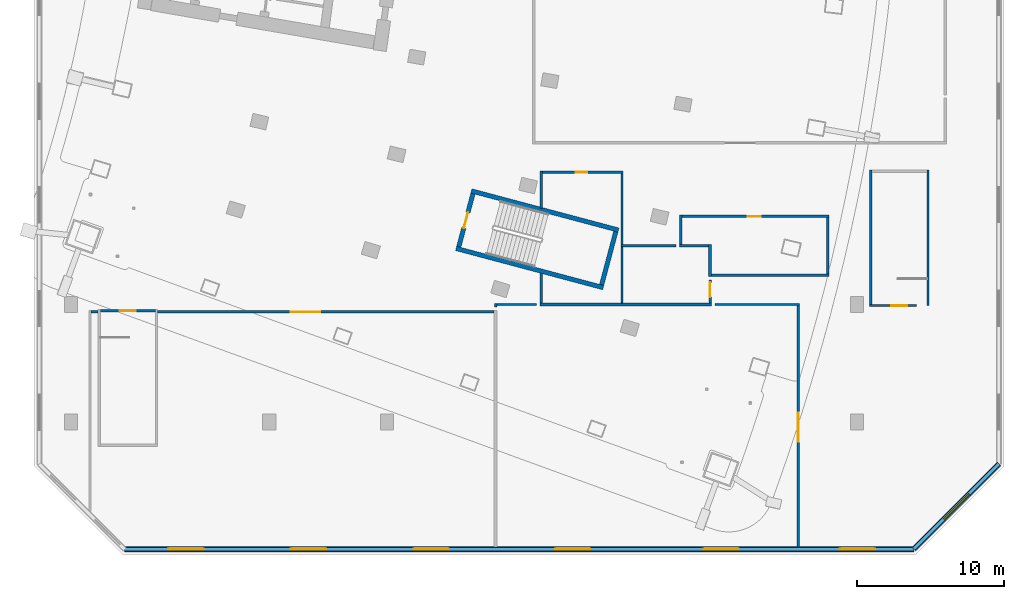
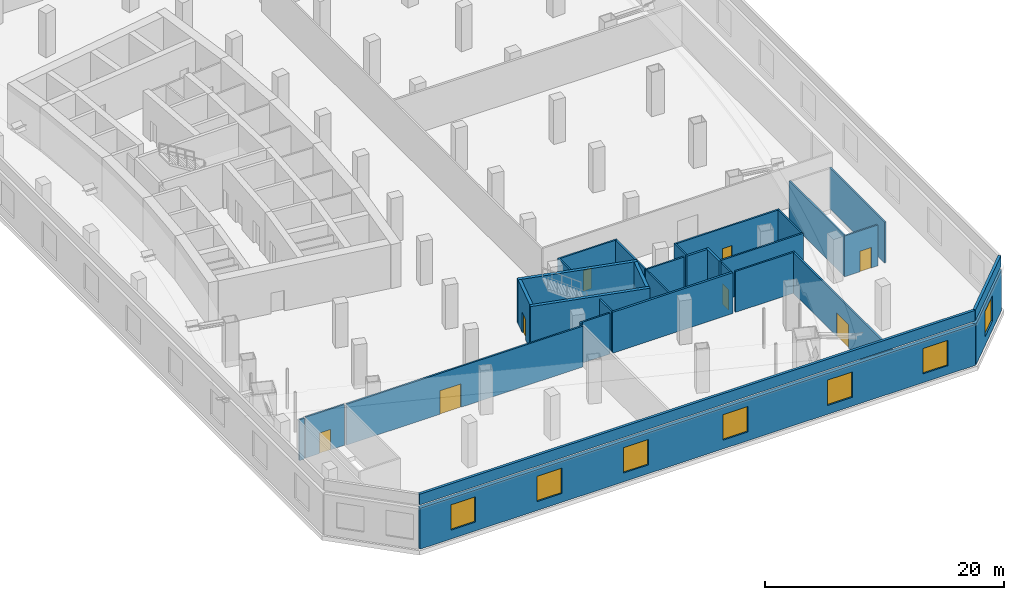
# One storey, part 12 of 19: 32 walls, 8 doors, 7 windows, 15 openings.
"""IFC4 building model written with IfcOpenShell, lengths in metres."""

from ifc_helpers import new_model, si_unit, direction, frame, frame_2d, origin, place, context, subcontext, project, spatial, rectangle, extrude, material, layer, layer_set, type_object, element, fill, save


model = new_model("IFC4")

# Units and contexts
model_context = context("Model", 3, precision=1e-05, world=origin(), true_north=direction((0.0, 1.0)))
body_context = subcontext(model_context, "Body", "Model", "MODEL_VIEW")
ifc_project = project(units=[si_unit("LENGTHUNIT", "METRE"), si_unit("AREAUNIT", "SQUARE_METRE"), si_unit("VOLUMEUNIT", "CUBIC_METRE"), si_unit("PLANEANGLEUNIT", "RADIAN"), si_unit("MASSUNIT", "GRAM", prefix="KILO")], contexts=[model_context])

# Site, building, storey
site_placement = place(None, origin())
site = spatial("IfcSite", under=ifc_project, at=site_placement, CompositionType="ELEMENT")
building_placement = place(site_placement, origin())
building = spatial("IfcBuilding", under=site, at=building_placement, Name="Alderwake Tower", CompositionType="ELEMENT")
storey_placement = place(building_placement, frame((0.0, 0.0, 27.5)))
storey = spatial("IfcBuildingStorey", under=building, at=storey_placement, Name="L05", CompositionType="ELEMENT", Elevation=27.5)

# Walls
ifc_material_1 = material(Name="Concrete C70/85", Category="concrete")
ifc_layer_1 = layer(ifc_material_1, 0.300048828125)
ifc_layer_set_1 = layer_set([ifc_layer_1], Name="Core wall stair enclosure 300 C70-85")
wall_type_1 = type_object("IfcWallType", Name="Core wall stair enclosure 300 C70-85", PredefinedType="SHEAR", material=ifc_layer_set_1)
for number, where, z_axis, x_axis, name in (
    (1, (37.75390625, 31.731201171875, 0.0), (0.0, 0.0, 1.0), (0.966309214305, -0.257383958996, 0.0), "Core wall CW.086"),
    (2, (36.71142578125, 27.817626953125, 0.0), (0.0, 0.0, 1.0), (0.966309214305, -0.257383958996, 0.0), "Core wall CW.088"),
):
    element("IfcWall", number, at=place(storey_placement, frame(where, z_axis=z_axis, x_axis=x_axis)), inside=storey, type_object=wall_type_1, Name=name, PredefinedType="SHEAR", context=body_context, shape_type="SweptSolid", body=[
        extrude(rectangle(XDim=10.360107421875, YDim=0.300048828125, at=frame_2d((5.18017578125, 0.0))), origin(), (0.0, 0.0, 1.0), 4.5),
    ])

# Wall, opening, door
wall_1_placement = place(storey_placement, frame((36.89501953125, 27.923828125, 0.0), z_axis=(0.0, 0.0, 1.0), x_axis=(0.257350630826, 0.966318090907, 0.0)))
wall_1 = element("IfcWall", 3, at=wall_1_placement, inside=storey, type_object=wall_type_1, Name="Core wall CW.087", PredefinedType="SHEAR", context=body_context, shape_type="SweptSolid", body=[
    extrude(rectangle(XDim=3.75, YDim=0.300048828125, at=frame_2d((1.875, 0.0))), origin(), (0.0, 0.0, 1.0), 4.5),
])
opening_1_placement = place(wall_1_placement, frame((1.324951171875, 0.0, 0.0)))
opening_1 = element("IfcOpeningElement", 4, at=opening_1_placement, cuts=wall_1, Name="Opening C065", PredefinedType="OPENING", context=body_context, shape_type="SweptSolid", body=[
    extrude(rectangle(XDim=1.10009765625, YDim=2.10009765625, at=frame_2d((0.550048828125, 1.050048828125))), frame((0.0, 0.159912109375, 0.0), z_axis=(0.0, -1.0, 0.0), x_axis=(1.0, 0.0, 0.0)), (0.0, 0.0, 1.0), 0.320068359375),
])
ifc_material_2 = material(Name="Steel-framed fire door leaf", Category="steel")
door_type_1 = type_object("IfcDoorType", Name="Core stair door 1100 fire-rated", OperationType="SINGLE_SWING_LEFT", PredefinedType="DOOR", material=ifc_material_2)
door_1_placement = place(opening_1_placement, origin())
door_1 = element("IfcDoor", 5, at=door_1_placement, inside=storey, type_object=door_type_1, Name="Stair door", OperationType="SINGLE_SWING_LEFT", OverallHeight=2.10009765625, OverallWidth=1.10009765625, PredefinedType="DOOR", context=body_context, shape_type="SweptSolid", body=[
    extrude(rectangle(XDim=1.10009765625, YDim=2.10009765625, at=frame_2d((0.550048828125, 1.050048828125))), frame((0.0, 0.02490234375, 0.0), z_axis=(0.0, -1.0, 0.0), x_axis=(1.0, 0.0, 0.0)), (0.0, 0.0, 1.0), 0.050048828125),
])
fill(opening_1, door_1)

# Walls
wall_2_placement = place(storey_placement, frame((46.6162109375, 25.334716796875, 0.0), z_axis=(0.0, 0.0, 1.0), x_axis=(0.257366821694, 0.966313778796, 0.0)))
element("IfcWall", 6, at=wall_2_placement, inside=storey, type_object=wall_type_1, Name="Core wall CW.085", PredefinedType="SHEAR", context=body_context, shape_type="SweptSolid", body=[
    extrude(rectangle(XDim=3.749755859375, YDim=0.300048828125, at=frame_2d((1.875, 0.0))), origin(), (0.0, 0.0, 1.0), 4.5),
])
ifc_material_3 = material(Name="Gypsum board on metal studs, rated")
ifc_layer_2 = layer(ifc_material_3, 0.159912109375)
ifc_layer_set_2 = layer_set([ifc_layer_2], Name="Corridor wall 160")
wall_type_2 = type_object("IfcWallType", Name="Corridor wall 160", PredefinedType="PARTITIONING", material=ifc_layer_set_2)
wall_3_placement = place(storey_placement, frame((11.87890625, 23.4990234375, 0.0), z_axis=(0.0, 0.0, 1.0), x_axis=(1.0, 0.0, 0.0)))
element("IfcWall", 7, at=wall_3_placement, inside=storey, type_object=wall_type_2, Name="WL/L05/W23", PredefinedType="PARTITIONING", context=body_context, shape_type="SweptSolid", body=[
    extrude(rectangle(XDim=0.47216796875, YDim=0.159912109375, at=frame_2d((0.236083984375, 0.0))), origin(), (0.0, 0.0, 1.0), 4.179931640625),
])

# Wall, opening, door
wall_4_placement = place(storey_placement, frame((16.40087890625, 23.4990234375, 0.0), z_axis=(0.0, 0.0, 1.0), x_axis=(1.0, 0.0, 0.0)))
wall_4 = element("IfcWall", 8, at=wall_4_placement, inside=storey, type_object=wall_type_2, Name="WL/L05/W27", PredefinedType="PARTITIONING", context=body_context, shape_type="SweptSolid", body=[
    extrude(rectangle(XDim=22.898193359375, YDim=0.159912109375, at=frame_2d((11.44921875, 0.0))), origin(), (0.0, 0.0, 1.0), 4.179931640625),
])
opening_2_placement = place(wall_4_placement, frame((9.073974609375, 0.0, 0.0)))
opening_2 = element("IfcOpeningElement", 9, at=opening_2_placement, cuts=wall_4, Name="Opening L05-05", PredefinedType="OPENING", context=body_context, shape_type="SweptSolid", body=[
    extrude(rectangle(XDim=2.0, YDim=2.39990234375, at=frame_2d((1.0, 1.199951171875))), frame((0.0, 0.08984375, 0.0), z_axis=(0.0, -1.0, 0.0), x_axis=(1.0, 0.0, 0.0)), (0.0, 0.0, 1.0), 0.179931640625),
])
ifc_material_4 = material(Name="Timber leaves with glazed panels", Category="wood")
door_type_2 = type_object("IfcDoorType", Name="Hall double door 2000", OperationType="DOUBLE_DOOR_SINGLE_SWING", PredefinedType="DOOR", material=ifc_material_4)
door_2_placement = place(opening_2_placement, origin())
door_2 = element("IfcDoor", 10, at=door_2_placement, inside=storey, type_object=door_type_2, Name="DR/L05/05", OperationType="DOUBLE_DOOR_SINGLE_SWING", OverallHeight=2.39990234375, OverallWidth=2.0, PredefinedType="DOOR", context=body_context, shape_type="SweptSolid", body=[
    extrude(rectangle(XDim=2.0, YDim=2.39990234375, at=frame_2d((1.0, 1.199951171875))), frame((0.0, 0.02490234375, 0.0), z_axis=(0.0, -1.0, 0.0), x_axis=(1.0, 0.0, 0.0)), (0.0, 0.0, 1.0), 0.050048828125),
])
fill(opening_2, door_2)

# Walls
wall_5_placement = place(storey_placement, frame((39.39892578125, 23.832275390625, 0.0), z_axis=(0.0, 0.0, 1.0), x_axis=(0.0, 1.0, 0.0)))
element("IfcWall", 11, at=wall_5_placement, inside=storey, type_object=wall_type_2, Name="WL/L05/W32", PredefinedType="PARTITIONING", context=body_context, shape_type="SweptSolid", body=[
    extrude(rectangle(XDim=0.247802734375, YDim=0.159912109375, at=frame_2d((0.1240234375, 0.0))), origin(), (0.0, 0.0, 1.0), 4.179931640625),
])
wall_6_placement = place(storey_placement, frame((39.47900390625, 24.0, 0.0), z_axis=(0.0, 0.0, 1.0), x_axis=(1.0, 0.0, 0.0)))
element("IfcWall", 12, at=wall_6_placement, inside=storey, type_object=wall_type_2, Name="WL/L05/W33", PredefinedType="PARTITIONING", context=body_context, shape_type="SweptSolid", body=[
    extrude(rectangle(XDim=2.688720703125, YDim=0.159912109375, at=frame_2d((1.34423828125, 0.0))), origin(), (0.0, 0.0, 1.0), 4.179931640625),
])
wall_7_placement = place(storey_placement, frame((42.5009765625, 24.10009765625, 0.0), z_axis=(0.0, 0.0, 1.0), x_axis=(0.0, 1.0, 0.0)))
element("IfcWall", 13, at=wall_7_placement, inside=storey, type_object=wall_type_2, Name="WL/L05/W36", PredefinedType="PARTITIONING", context=body_context, shape_type="SweptSolid", body=[
    extrude(rectangle(XDim=2.02099609375, YDim=0.159912109375, at=frame_2d((1.010498046875, 0.0))), origin(), (0.0, 0.0, 1.0), 4.179931640625),
])
wall_8_placement = place(storey_placement, frame((42.5009765625, 30.541015625, 0.0), z_axis=(0.0, 0.0, 1.0), x_axis=(0.0, 1.0, 0.0)))
element("IfcWall", 14, at=wall_8_placement, inside=storey, type_object=wall_type_2, Name="WL/L05/W37", PredefinedType="PARTITIONING", context=body_context, shape_type="SweptSolid", body=[
    extrude(rectangle(XDim=2.5390625, YDim=0.159912109375, at=frame_2d((1.26953125, 0.0))), origin(), (0.0, 0.0, 1.0), 4.179931640625),
])

# Wall, opening, door
wall_9_placement = place(storey_placement, frame((42.5810546875, 33.0, 0.0), z_axis=(0.0, 0.0, 1.0), x_axis=(1.0, 0.0, 0.0)))
wall_9 = element("IfcWall", 15, at=wall_9_placement, inside=storey, type_object=wall_type_2, Name="WL/L05/W38", PredefinedType="PARTITIONING", context=body_context, shape_type="SweptSolid", body=[
    extrude(rectangle(XDim=5.4990234375, YDim=0.159912109375, at=frame_2d((2.74951171875, 0.0))), origin(), (0.0, 0.0, 1.0), 4.179931640625),
])
opening_3_placement = place(wall_9_placement, frame((2.26904296875, 0.0, 0.0)))
opening_3 = element("IfcOpeningElement", 16, at=opening_3_placement, cuts=wall_9, Name="Opening L05-07", PredefinedType="OPENING", context=body_context, shape_type="SweptSolid", body=[
    extrude(rectangle(XDim=0.800048828125, YDim=2.10009765625, at=frame_2d((0.39990234375, 1.050048828125))), frame((0.0, 0.08984375, 0.0), z_axis=(0.0, -1.0, 0.0), x_axis=(1.0, 0.0, 0.0)), (0.0, 0.0, 1.0), 0.179931640625),
])
ifc_material_5 = material(Name="Painted timber leaf", Category="wood")
door_type_3 = type_object("IfcDoorType", Name="Bathroom door 800", OperationType="SINGLE_SWING_LEFT", PredefinedType="DOOR", material=ifc_material_5)
door_3_placement = place(opening_3_placement, origin())
door_3 = element("IfcDoor", 17, at=door_3_placement, inside=storey, type_object=door_type_3, Name="DR/L05/07", OperationType="SINGLE_SWING_LEFT", OverallHeight=2.10009765625, OverallWidth=0.800048828125, PredefinedType="DOOR", context=body_context, shape_type="SweptSolid", body=[
    extrude(rectangle(XDim=0.800048828125, YDim=2.10009765625, at=frame_2d((0.39990234375, 1.050048828125))), frame((0.0, 0.02490234375, 0.0), z_axis=(0.0, -1.0, 0.0), x_axis=(1.0, 0.0, 0.0)), (0.0, 0.0, 1.0), 0.050048828125),
])
fill(opening_3, door_3)

# Walls
wall_10_placement = place(storey_placement, frame((47.919921875, 27.9990234375, 0.0), z_axis=(0.0, 0.0, 1.0), x_axis=(1.0, 0.0, 0.0)))
element("IfcWall", 18, at=wall_10_placement, inside=storey, type_object=wall_type_2, Name="WL/L05/W43", PredefinedType="PARTITIONING", context=body_context, shape_type="SweptSolid", body=[
    extrude(rectangle(XDim=3.745849609375, YDim=0.159912109375, at=frame_2d((1.873046875, 0.0))), origin(), (0.0, 0.0, 1.0), 4.179931640625),
])
wall_11_placement = place(storey_placement, frame((48.0, 32.919921875, 0.0), z_axis=(0.0, 0.0, 1.0), x_axis=(0.0, -1.0, 0.0)))
element("IfcWall", 19, at=wall_11_placement, inside=storey, type_object=wall_type_2, Name="WL/L05/W44", PredefinedType="PARTITIONING", context=body_context, shape_type="SweptSolid", body=[
    extrude(rectangle(XDim=4.8408203125, YDim=0.159912109375, at=frame_2d((2.42041015625, 0.0))), origin(), (0.0, 0.0, 1.0), 4.179931640625),
])
wall_12_placement = place(storey_placement, frame((51.9990234375, 28.09912109375, 0.0), z_axis=(0.0, 0.0, 1.0), x_axis=(0.0, 1.0, 0.0)))
element("IfcWall", 20, at=wall_12_placement, inside=storey, type_object=wall_type_2, Name="WL/L05/W45", PredefinedType="PARTITIONING", context=body_context, shape_type="SweptSolid", body=[
    extrude(rectangle(XDim=1.98095703125, YDim=0.159912109375, at=frame_2d((0.990478515625, 0.0))), origin(), (0.0, 0.0, 1.0), 4.179931640625),
])

# Wall, opening, door
wall_13_placement = place(storey_placement, frame((52.0791015625, 30.0, 0.0), z_axis=(0.0, 0.0, 1.0), x_axis=(1.0, 0.0, 0.0)))
wall_13 = element("IfcWall", 21, at=wall_13_placement, inside=storey, type_object=wall_type_2, Name="WL/L05/W46", PredefinedType="PARTITIONING", context=body_context, shape_type="SweptSolid", body=[
    extrude(rectangle(XDim=10.001953125, YDim=0.159912109375, at=frame_2d((5.0009765625, 0.0))), origin(), (0.0, 0.0, 1.0), 4.179931640625),
])
opening_4_placement = place(wall_13_placement, frame((4.470947265625, 0.0, 0.0)))
opening_4 = element("IfcOpeningElement", 22, at=opening_4_placement, cuts=wall_13, Name="Opening L05-09", PredefinedType="OPENING", context=body_context, shape_type="SweptSolid", body=[
    extrude(rectangle(XDim=0.89990234375, YDim=2.10009765625, at=frame_2d((0.449951171875, 1.050048828125))), frame((0.0, 0.08984375, 0.0), z_axis=(0.0, -1.0, 0.0), x_axis=(1.0, 0.0, 0.0)), (0.0, 0.0, 1.0), 0.179931640625),
])
ifc_material_6 = material(Name="Painted timber leaf", Category="wood")
door_type_4 = type_object("IfcDoorType", Name="Room door 900", OperationType="SINGLE_SWING_LEFT", PredefinedType="DOOR", material=ifc_material_6)
door_4_placement = place(opening_4_placement, origin())
door_4 = element("IfcDoor", 23, at=door_4_placement, inside=storey, type_object=door_type_4, Name="DR/L05/09", OperationType="SINGLE_SWING_LEFT", OverallHeight=2.10009765625, OverallWidth=0.89990234375, PredefinedType="DOOR", context=body_context, shape_type="SweptSolid", body=[
    extrude(rectangle(XDim=0.89990234375, YDim=2.10009765625, at=frame_2d((0.449951171875, 1.050048828125))), frame((0.0, 0.02490234375, 0.0), z_axis=(0.0, -1.0, 0.0), x_axis=(1.0, 0.0, 0.0)), (0.0, 0.0, 1.0), 0.050048828125),
])
fill(opening_4, door_4)

# Wall
wall_14_placement = place(storey_placement, frame((54.333251953125, 24.0, 0.0), z_axis=(0.0, 0.0, 1.0), x_axis=(1.0, 0.0, 0.0)))
element("IfcWall", 24, at=wall_14_placement, inside=storey, type_object=wall_type_2, Name="WL/L05/W47", PredefinedType="PARTITIONING", context=body_context, shape_type="SweptSolid", body=[
    extrude(rectangle(XDim=5.746826171875, YDim=0.159912109375, at=frame_2d((2.87353515625, 0.0))), origin(), (0.0, 0.0, 1.0), 4.179931640625),
])

# Wall, opening, door
wall_15_placement = place(storey_placement, frame((54.0, 25.667724609375, 0.0), z_axis=(0.0, 0.0, 1.0), x_axis=(0.0, -1.0, 0.0)))
wall_15 = element("IfcWall", 25, at=wall_15_placement, inside=storey, type_object=wall_type_2, Name="WL/L05/W48", PredefinedType="PARTITIONING", context=body_context, shape_type="SweptSolid", body=[
    extrude(rectangle(XDim=1.567626953125, YDim=0.159912109375, at=frame_2d((0.78369140625, 0.0))), origin(), (0.0, 0.0, 1.0), 4.179931640625),
])
opening_5_placement = place(wall_15_placement, frame((0.167724609375, 0.0, 0.0)))
opening_5 = element("IfcOpeningElement", 26, at=opening_5_placement, cuts=wall_15, Name="Opening L05-08", PredefinedType="OPENING", context=body_context, shape_type="SweptSolid", body=[
    extrude(rectangle(XDim=1.0, YDim=2.10009765625, at=frame_2d((0.5, 1.050048828125))), frame((0.0, 0.08984375, 0.0), z_axis=(0.0, -1.0, 0.0), x_axis=(1.0, 0.0, 0.0)), (0.0, 0.0, 1.0), 0.179931640625),
])
ifc_material_7 = material(Name="Painted timber leaf", Category="wood")
door_type_5 = type_object("IfcDoorType", Name="Accessible WC door 1000", OperationType="SINGLE_SWING_LEFT", PredefinedType="DOOR", material=ifc_material_7)
door_5_placement = place(opening_5_placement, origin())
door_5 = element("IfcDoor", 27, at=door_5_placement, inside=storey, type_object=door_type_5, Name="DR/L05/08", OperationType="SINGLE_SWING_LEFT", OverallHeight=2.10009765625, OverallWidth=1.0, PredefinedType="DOOR", context=body_context, shape_type="SweptSolid", body=[
    extrude(rectangle(XDim=1.0, YDim=2.10009765625, at=frame_2d((0.5, 1.050048828125))), frame((0.0, 0.02490234375, 0.0), z_axis=(0.0, -1.0, 0.0), x_axis=(1.0, 0.0, 0.0)), (0.0, 0.0, 1.0), 0.050048828125),
])
fill(opening_5, door_5)

wall_16_placement = place(storey_placement, frame((60.0, 23.919921875, 0.0), z_axis=(0.0, 0.0, 1.0), x_axis=(0.0, -1.0, 0.0)))
wall_16 = element("IfcWall", 28, at=wall_16_placement, inside=storey, type_object=wall_type_2, Name="WL/L05/W49", PredefinedType="PARTITIONING", context=body_context, shape_type="SweptSolid", body=[
    extrude(rectangle(XDim=16.419921875, YDim=0.159912109375, at=frame_2d((8.2099609375, 0.0))), origin(), (0.0, 0.0, 1.0), 4.179931640625),
])
opening_6_placement = place(wall_16_placement, frame((7.27001953125, 0.0, 0.0)))
opening_6 = element("IfcOpeningElement", 29, at=opening_6_placement, cuts=wall_16, Name="Opening L05-06", PredefinedType="OPENING", context=body_context, shape_type="SweptSolid", body=[
    extrude(rectangle(XDim=2.0, YDim=2.39990234375, at=frame_2d((1.0, 1.199951171875))), frame((0.0, 0.08984375, 0.0), z_axis=(0.0, -1.0, 0.0), x_axis=(1.0, 0.0, 0.0)), (0.0, 0.0, 1.0), 0.179931640625),
])
door_6_placement = place(opening_6_placement, origin())
door_6 = element("IfcDoor", 30, at=door_6_placement, inside=storey, type_object=door_type_2, Name="DR/L05/06", OperationType="DOUBLE_DOOR_SINGLE_SWING", OverallHeight=2.39990234375, OverallWidth=2.0, PredefinedType="DOOR", context=body_context, shape_type="SweptSolid", body=[
    extrude(rectangle(XDim=2.0, YDim=2.39990234375, at=frame_2d((1.0, 1.199951171875))), frame((0.0, 0.02490234375, 0.0), z_axis=(0.0, -1.0, 0.0), x_axis=(1.0, 0.0, 0.0)), (0.0, 0.0, 1.0), 0.050048828125),
])
fill(opening_6, door_6)

# Walls
wall_17_placement = place(storey_placement, frame((62.0810546875, 26.0009765625, 0.0), z_axis=(0.0, 0.0, 1.0), x_axis=(-1.0, 0.0, 0.0)))
element("IfcWall", 31, at=wall_17_placement, inside=storey, type_object=wall_type_2, Name="WL/L05/W50", PredefinedType="PARTITIONING", context=body_context, shape_type="SweptSolid", body=[
    extrude(rectangle(XDim=7.98095703125, YDim=0.159912109375, at=frame_2d((3.990478515625, 0.0))), origin(), (0.0, 0.0, 1.0), 4.179931640625),
])
wall_18_placement = place(storey_placement, frame((62.0009765625, 29.919921875, 0.0), z_axis=(0.0, 0.0, 1.0), x_axis=(0.0, -1.0, 0.0)))
element("IfcWall", 32, at=wall_18_placement, inside=storey, type_object=wall_type_2, Name="WL/L05/W51", PredefinedType="PARTITIONING", context=body_context, shape_type="SweptSolid", body=[
    extrude(rectangle(XDim=3.8388671875, YDim=0.159912109375, at=frame_2d((1.91943359375, 0.0))), origin(), (0.0, 0.0, 1.0), 4.179931640625),
])

# Wall, openings, windows
ifc_material_8 = material(Name="Precast concrete C50/60 spandrel panel", Category="concrete")
ifc_layer_3 = layer(ifc_material_8, 0.35009765625)
ifc_layer_set_3 = layer_set([ifc_layer_3], Name="External wall EW4 Precast concrete C50/60 podium")
wall_type_3 = type_object("IfcWallType", Name="External wall EW4 Precast concrete C50/60 podium", PredefinedType="SOLIDWALL", material=ifc_layer_set_3)
wall_19_placement = place(storey_placement, frame((14.14501953125, 7.35009765625, 0.0), z_axis=(0.0, 0.0, 1.0), x_axis=(1.0, 0.0, 0.0)))
wall_19 = element("IfcWall", 33, at=wall_19_placement, inside=storey, type_object=wall_type_3, Name="External wall 1", PredefinedType="SOLIDWALL", context=body_context, shape_type="SweptSolid", body=[
    extrude(rectangle(XDim=53.72509765625, YDim=0.35009765625, at=frame_2d((26.862548828125, 0.0))), origin(), (0.0, 0.0, 1.0), 4.179931640625),
])
opening_7_placement = place(wall_19_placement, frame((2.9755859375, 0.0, 0.89990234375)))
opening_7 = element("IfcOpeningElement", 34, at=opening_7_placement, cuts=wall_19, Name="Opening W6", PredefinedType="OPENING", context=body_context, shape_type="SweptSolid", body=[
    extrude(rectangle(XDim=2.39990234375, YDim=2.60009765625, at=frame_2d((1.199951171875, 1.300048828125))), frame((0.0, 0.18505859375, 0.0), z_axis=(0.0, -1.0, 0.0), x_axis=(1.0, 0.0, 0.0)), (0.0, 0.0, 1.0), 0.3701171875),
])
opening_8_placement = place(wall_19_placement, frame((11.326904296875, 0.0, 0.89990234375)))
opening_8 = element("IfcOpeningElement", 35, at=opening_8_placement, cuts=wall_19, Name="Opening W6", PredefinedType="OPENING", context=body_context, shape_type="SweptSolid", body=[
    extrude(rectangle(XDim=2.39990234375, YDim=2.60009765625, at=frame_2d((1.199951171875, 1.300048828125))), frame((0.0, 0.18505859375, 0.0), z_axis=(0.0, -1.0, 0.0), x_axis=(1.0, 0.0, 0.0)), (0.0, 0.0, 1.0), 0.3701171875),
])
opening_9_placement = place(wall_19_placement, frame((19.678466796875, 0.0, 0.89990234375)))
opening_9 = element("IfcOpeningElement", 36, at=opening_9_placement, cuts=wall_19, Name="Opening W6", PredefinedType="OPENING", context=body_context, shape_type="SweptSolid", body=[
    extrude(rectangle(XDim=2.39990234375, YDim=2.60009765625, at=frame_2d((1.199951171875, 1.300048828125))), frame((0.0, 0.18505859375, 0.0), z_axis=(0.0, -1.0, 0.0), x_axis=(1.0, 0.0, 0.0)), (0.0, 0.0, 1.0), 0.3701171875),
])
opening_10_placement = place(wall_19_placement, frame((29.309326171875, 0.0, 0.89990234375)))
opening_10 = element("IfcOpeningElement", 37, at=opening_10_placement, cuts=wall_19, Name="Opening W6", PredefinedType="OPENING", context=body_context, shape_type="SweptSolid", body=[
    extrude(rectangle(XDim=2.39990234375, YDim=2.60009765625, at=frame_2d((1.199951171875, 1.300048828125))), frame((0.0, 0.18505859375, 0.0), z_axis=(0.0, -1.0, 0.0), x_axis=(1.0, 0.0, 0.0)), (0.0, 0.0, 1.0), 0.3701171875),
])
opening_11_placement = place(wall_19_placement, frame((39.419921875, 0.0, 0.89990234375)))
opening_11 = element("IfcOpeningElement", 38, at=opening_11_placement, cuts=wall_19, Name="Opening W6", PredefinedType="OPENING", context=body_context, shape_type="SweptSolid", body=[
    extrude(rectangle(XDim=2.39990234375, YDim=2.60009765625, at=frame_2d((1.199951171875, 1.300048828125))), frame((0.0, 0.18505859375, 0.0), z_axis=(0.0, -1.0, 0.0), x_axis=(1.0, 0.0, 0.0)), (0.0, 0.0, 1.0), 0.3701171875),
])
opening_12_placement = place(wall_19_placement, frame((48.679931640625, 0.0, 0.89990234375)))
opening_12 = element("IfcOpeningElement", 39, at=opening_12_placement, cuts=wall_19, Name="Opening W6", PredefinedType="OPENING", context=body_context, shape_type="SweptSolid", body=[
    extrude(rectangle(XDim=2.39990234375, YDim=2.60009765625, at=frame_2d((1.199951171875, 1.300048828125))), frame((0.0, 0.18505859375, 0.0), z_axis=(0.0, -1.0, 0.0), x_axis=(1.0, 0.0, 0.0)), (0.0, 0.0, 1.0), 0.3701171875),
])
ifc_material_9 = material(Name="Bronze tinted glass in aluminium frame", Category="aluminium")
window_type = type_object("IfcWindowType", Name="Window W6 podium", PartitioningType="DOUBLE_PANEL_VERTICAL", PredefinedType="WINDOW", material=ifc_material_9)
window_1_placement = place(opening_7_placement, origin())
window_1 = element("IfcWindow", 40, at=window_1_placement, inside=storey, type_object=window_type, Name="Window W6 podium", OverallHeight=2.60009765625, OverallWidth=2.39990234375, PartitioningType="DOUBLE_PANEL_VERTICAL", PredefinedType="WINDOW", context=body_context, shape_type="SweptSolid", body=[
    extrude(rectangle(XDim=2.39990234375, YDim=2.60009765625, at=frame_2d((1.199951171875, 1.300048828125))), frame((0.0, 0.030029296875, 0.0), z_axis=(0.0, -1.0, 0.0), x_axis=(1.0, 0.0, 0.0)), (0.0, 0.0, 1.0), 0.06005859375),
])
fill(opening_7, window_1)
window_2_placement = place(opening_8_placement, origin())
window_2 = element("IfcWindow", 41, at=window_2_placement, inside=storey, type_object=window_type, Name="Window W6 podium", OverallHeight=2.60009765625, OverallWidth=2.39990234375, PartitioningType="DOUBLE_PANEL_VERTICAL", PredefinedType="WINDOW", context=body_context, shape_type="SweptSolid", body=[
    extrude(rectangle(XDim=2.39990234375, YDim=2.60009765625, at=frame_2d((1.199951171875, 1.300048828125))), frame((0.0, 0.030029296875, 0.0), z_axis=(0.0, -1.0, 0.0), x_axis=(1.0, 0.0, 0.0)), (0.0, 0.0, 1.0), 0.06005859375),
])
fill(opening_8, window_2)
window_3_placement = place(opening_9_placement, origin())
window_3 = element("IfcWindow", 42, at=window_3_placement, inside=storey, type_object=window_type, Name="Window W6 podium", OverallHeight=2.60009765625, OverallWidth=2.39990234375, PartitioningType="DOUBLE_PANEL_VERTICAL", PredefinedType="WINDOW", context=body_context, shape_type="SweptSolid", body=[
    extrude(rectangle(XDim=2.39990234375, YDim=2.60009765625, at=frame_2d((1.199951171875, 1.300048828125))), frame((0.0, 0.030029296875, 0.0), z_axis=(0.0, -1.0, 0.0), x_axis=(1.0, 0.0, 0.0)), (0.0, 0.0, 1.0), 0.06005859375),
])
fill(opening_9, window_3)
window_4_placement = place(opening_10_placement, origin())
window_4 = element("IfcWindow", 43, at=window_4_placement, inside=storey, type_object=window_type, Name="Window W6 podium", OverallHeight=2.60009765625, OverallWidth=2.39990234375, PartitioningType="DOUBLE_PANEL_VERTICAL", PredefinedType="WINDOW", context=body_context, shape_type="SweptSolid", body=[
    extrude(rectangle(XDim=2.39990234375, YDim=2.60009765625, at=frame_2d((1.199951171875, 1.300048828125))), frame((0.0, 0.030029296875, 0.0), z_axis=(0.0, -1.0, 0.0), x_axis=(1.0, 0.0, 0.0)), (0.0, 0.0, 1.0), 0.06005859375),
])
fill(opening_10, window_4)
window_5_placement = place(opening_11_placement, origin())
window_5 = element("IfcWindow", 44, at=window_5_placement, inside=storey, type_object=window_type, Name="Window W6 podium", OverallHeight=2.60009765625, OverallWidth=2.39990234375, PartitioningType="DOUBLE_PANEL_VERTICAL", PredefinedType="WINDOW", context=body_context, shape_type="SweptSolid", body=[
    extrude(rectangle(XDim=2.39990234375, YDim=2.60009765625, at=frame_2d((1.199951171875, 1.300048828125))), frame((0.0, 0.030029296875, 0.0), z_axis=(0.0, -1.0, 0.0), x_axis=(1.0, 0.0, 0.0)), (0.0, 0.0, 1.0), 0.06005859375),
])
fill(opening_11, window_5)
window_6_placement = place(opening_12_placement, origin())
window_6 = element("IfcWindow", 45, at=window_6_placement, inside=storey, type_object=window_type, Name="Window W6 podium", OverallHeight=2.60009765625, OverallWidth=2.39990234375, PartitioningType="DOUBLE_PANEL_VERTICAL", PredefinedType="WINDOW", context=body_context, shape_type="SweptSolid", body=[
    extrude(rectangle(XDim=2.39990234375, YDim=2.60009765625, at=frame_2d((1.199951171875, 1.300048828125))), frame((0.0, 0.030029296875, 0.0), z_axis=(0.0, -1.0, 0.0), x_axis=(1.0, 0.0, 0.0)), (0.0, 0.0, 1.0), 0.06005859375),
])
fill(opening_12, window_6)

# Wall, opening, window
wall_20_placement = place(storey_placement, frame((67.85498046875, 7.35009765625, 0.0), z_axis=(0.0, 0.0, 1.0), x_axis=(0.707121649021, 0.707091913039, 0.0)))
wall_20 = element("IfcWall", 46, at=wall_20_placement, inside=storey, type_object=wall_type_3, Name="External wall 2", PredefinedType="SOLIDWALL", context=body_context, shape_type="SweptSolid", body=[
    extrude(rectangle(XDim=8.210205078125, YDim=0.35009765625, at=frame_2d((4.10498046875, 0.0))), origin(), (0.0, 0.0, 1.0), 4.179931640625),
])
opening_13_placement = place(wall_20_placement, frame((2.9052734375, 0.0, 0.89990234375)))
opening_13 = element("IfcOpeningElement", 47, at=opening_13_placement, cuts=wall_20, Name="Opening W6", PredefinedType="OPENING", context=body_context, shape_type="SweptSolid", body=[
    extrude(rectangle(XDim=2.39990234375, YDim=2.60009765625, at=frame_2d((1.199951171875, 1.300048828125))), frame((0.0, 0.18505859375, 0.0), z_axis=(0.0, -1.0, 0.0), x_axis=(1.0, 0.0, 0.0)), (0.0, 0.0, 1.0), 0.3701171875),
])
window_7_placement = place(opening_13_placement, origin())
window_7 = element("IfcWindow", 48, at=window_7_placement, inside=storey, type_object=window_type, Name="Window W6 podium", OverallHeight=2.60009765625, OverallWidth=2.39990234375, PartitioningType="DOUBLE_PANEL_VERTICAL", PredefinedType="WINDOW", context=body_context, shape_type="SweptSolid", body=[
    extrude(rectangle(XDim=2.39990234375, YDim=2.60009765625, at=frame_2d((1.199951171875, 1.300048828125))), frame((0.0, 0.030029296875, 0.0), z_axis=(0.0, -1.0, 0.0), x_axis=(1.0, 0.0, 0.0)), (0.0, 0.0, 1.0), 0.06005859375),
])
fill(opening_13, window_7)

# Walls
ifc_material_10 = material(Name="Dense block masonry wall", Category="masonry")
ifc_layer_4 = layer(ifc_material_10, 0.199951171875)
ifc_layer_set_4 = layer_set([ifc_layer_4], Name="Party wall 200")
wall_type_4 = type_object("IfcWallType", Name="Party wall 200", PredefinedType="SOLIDWALL", material=ifc_layer_set_4)
wall_21_placement = place(storey_placement, frame((54.080078125, 24.0, 0.0), z_axis=(0.0, 0.0, 1.0), x_axis=(-1.0, 0.0, 0.0)))
element("IfcWall", 49, at=wall_21_placement, inside=storey, type_object=wall_type_4, Name="WL/L05/W02", PredefinedType="SOLIDWALL", context=body_context, shape_type="SweptSolid", body=[
    extrude(rectangle(XDim=11.6591796875, YDim=0.199951171875, at=frame_2d((5.82958984375, 0.0))), origin(), (0.0, 0.0, 1.0), 4.179931640625),
])
wall_22_placement = place(storey_placement, frame((54.0, 25.9208984375, 0.0), z_axis=(0.0, 0.0, 1.0), x_axis=(0.0, 1.0, 0.0)))
element("IfcWall", 50, at=wall_22_placement, inside=storey, type_object=wall_type_4, Name="WL/L05/W03", PredefinedType="SOLIDWALL", context=body_context, shape_type="SweptSolid", body=[
    extrude(rectangle(XDim=2.17822265625, YDim=0.199951171875, at=frame_2d((1.089111328125, 0.0))), origin(), (0.0, 0.0, 1.0), 4.179931640625),
])
wall_23_placement = place(storey_placement, frame((53.89990234375, 27.9990234375, 0.0), z_axis=(0.0, 0.0, 1.0), x_axis=(-1.0, 0.0, 0.0)))
element("IfcWall", 51, at=wall_23_placement, inside=storey, type_object=wall_type_4, Name="WL/L05/W04", PredefinedType="SOLIDWALL", context=body_context, shape_type="SweptSolid", body=[
    extrude(rectangle(XDim=1.98095703125, YDim=0.199951171875, at=frame_2d((0.990478515625, 0.0))), origin(), (0.0, 0.0, 1.0), 4.179931640625),
])

# Wall, opening, door
ifc_material_11 = material(Name="Gypsum shaft wall system, rated")
ifc_layer_5 = layer(ifc_material_11, 0.14990234375)
ifc_layer_set_5 = layer_set([ifc_layer_5], Name="Riser and shaft wall 150")
wall_type_5 = type_object("IfcWallType", Name="Riser and shaft wall 150", PredefinedType="PARTITIONING", material=ifc_layer_set_5)
wall_24_placement = place(storey_placement, frame((12.5009765625, 23.573974609375, 0.0), z_axis=(0.0, 0.0, 1.0), x_axis=(1.0, 0.0, 0.0)))
wall_24 = element("IfcWall", 52, at=wall_24_placement, inside=storey, type_object=wall_type_5, Name="WL/L05/W11", PredefinedType="PARTITIONING", context=body_context, shape_type="SweptSolid", body=[
    extrude(rectangle(XDim=3.75, YDim=0.14990234375, at=frame_2d((1.875, 0.0))), origin(), (0.0, 0.0, 1.0), 4.179931640625),
])
opening_14_placement = place(wall_24_placement, frame((1.323974609375, 0.0, 0.0)))
opening_14 = element("IfcOpeningElement", 53, at=opening_14_placement, cuts=wall_24, Name="Opening L05-10", PredefinedType="OPENING", context=body_context, shape_type="SweptSolid", body=[
    extrude(rectangle(XDim=1.10009765625, YDim=2.10009765625, at=frame_2d((0.550048828125, 1.050048828125))), frame((0.0, 0.0849609375, 0.0), z_axis=(0.0, -1.0, 0.0), x_axis=(1.0, 0.0, 0.0)), (0.0, 0.0, 1.0), 0.169921875),
])
ifc_material_12 = material(Name="Steel-framed fire door leaf", Category="steel")
door_type_6 = type_object("IfcDoorType", Name="Stair door 1100 fire-rated", OperationType="SINGLE_SWING_LEFT", PredefinedType="DOOR", material=ifc_material_12)
door_7_placement = place(opening_14_placement, origin())
door_7 = element("IfcDoor", 54, at=door_7_placement, inside=storey, type_object=door_type_6, Name="DR/L05/10", OperationType="SINGLE_SWING_LEFT", OverallHeight=2.10009765625, OverallWidth=1.10009765625, PredefinedType="DOOR", context=body_context, shape_type="SweptSolid", body=[
    extrude(rectangle(XDim=1.10009765625, YDim=2.10009765625, at=frame_2d((0.550048828125, 1.050048828125))), frame((0.0, 0.02490234375, 0.0), z_axis=(0.0, -1.0, 0.0), x_axis=(1.0, 0.0, 0.0)), (0.0, 0.0, 1.0), 0.050048828125),
])
fill(opening_14, door_7)

wall_25_placement = place(storey_placement, frame((68.05810546875, 23.925048828125, 0.0), z_axis=(0.0, 0.0, 1.0), x_axis=(-1.0, 0.0, 0.0)))
wall_25 = element("IfcWall", 55, at=wall_25_placement, inside=storey, type_object=wall_type_5, Name="WL/L05/W14", PredefinedType="PARTITIONING", context=body_context, shape_type="SweptSolid", body=[
    extrude(rectangle(XDim=3.20703125, YDim=0.14990234375, at=frame_2d((1.603515625, 0.0))), origin(), (0.0, 0.0, 1.0), 4.179931640625),
])
opening_15_placement = place(wall_25_placement, frame((0.633056640625, 0.0, 0.0)))
opening_15 = element("IfcOpeningElement", 56, at=opening_15_placement, cuts=wall_25, Name="Opening L05-13", PredefinedType="OPENING", context=body_context, shape_type="SweptSolid", body=[
    extrude(rectangle(XDim=1.10009765625, YDim=2.10009765625, at=frame_2d((0.550048828125, 1.050048828125))), frame((0.0, 0.0849609375, 0.0), z_axis=(0.0, -1.0, 0.0), x_axis=(1.0, 0.0, 0.0)), (0.0, 0.0, 1.0), 0.169921875),
])
door_8_placement = place(opening_15_placement, origin())
door_8 = element("IfcDoor", 57, at=door_8_placement, inside=storey, type_object=door_type_6, Name="DR/L05/13", OperationType="SINGLE_SWING_LEFT", OverallHeight=2.10009765625, OverallWidth=1.10009765625, PredefinedType="DOOR", context=body_context, shape_type="SweptSolid", body=[
    extrude(rectangle(XDim=1.10009765625, YDim=2.10009765625, at=frame_2d((0.550048828125, 1.050048828125))), frame((0.0, 0.02490234375, 0.0), z_axis=(0.0, -1.0, 0.0), x_axis=(1.0, 0.0, 0.0)), (0.0, 0.0, 1.0), 0.050048828125),
])
fill(opening_15, door_8)

# Walls
wall_26_placement = place(storey_placement, frame((64.926025390625, 33.14990234375, 0.0), z_axis=(0.0, 0.0, 1.0), x_axis=(0.0, -1.0, 0.0)))
element("IfcWall", 58, at=wall_26_placement, inside=storey, type_object=wall_type_5, Name="WL/L05/W15", PredefinedType="PARTITIONING", context=body_context, shape_type="SweptSolid", body=[
    extrude(rectangle(XDim=9.14990234375, YDim=0.14990234375, at=frame_2d((4.574951171875, 0.0))), origin(), (0.0, 0.0, 1.0), 4.179931640625),
])
wall_27_placement = place(storey_placement, frame((68.825927734375, 23.93408203125, 0.0), z_axis=(0.0, 0.0, 1.0), x_axis=(0.0, 1.0, 0.0)))
element("IfcWall", 59, at=wall_27_placement, inside=storey, type_object=wall_type_5, Name="WL/L05/W18", PredefinedType="PARTITIONING", context=body_context, shape_type="SweptSolid", body=[
    extrude(rectangle(XDim=9.2158203125, YDim=0.14990234375, at=frame_2d((4.60791015625, 0.0))), origin(), (0.0, 0.0, 1.0), 4.179931640625),
])
ifc_material_13 = material(Name="Precast concrete C50/60 spandrel panel", Category="concrete")
ifc_layer_6 = layer(ifc_material_13, 0.25)
ifc_layer_set_6 = layer_set([ifc_layer_6], Name="Roof parapet PA1 Precast concrete C50/60")
wall_type_6 = type_object("IfcWallType", Name="Roof parapet PA1 Precast concrete C50/60", PredefinedType="PARAPET", material=ifc_layer_set_6)
wall_28_placement = place(storey_placement, frame((14.14501953125, 7.35009765625, 4.5), z_axis=(0.0, 0.0, 1.0), x_axis=(1.0, 0.0, 0.0)))
element("IfcWall", 60, at=wall_28_placement, inside=storey, type_object=wall_type_6, Name="External wall 9", PredefinedType="PARAPET", context=body_context, shape_type="SweptSolid", body=[
    extrude(rectangle(XDim=53.72509765625, YDim=0.25, at=frame_2d((26.862548828125, 0.0))), origin(), (0.0, 0.0, 1.0), 1.10009765625),
])
wall_29_placement = place(storey_placement, frame((67.85498046875, 7.35009765625, 4.5), z_axis=(0.0, 0.0, 1.0), x_axis=(0.707121649021, 0.707091913039, 0.0)))
element("IfcWall", 61, at=wall_29_placement, inside=storey, type_object=wall_type_6, Name="External wall 10", PredefinedType="PARAPET", context=body_context, shape_type="SweptSolid", body=[
    extrude(rectangle(XDim=8.210205078125, YDim=0.25, at=frame_2d((4.10498046875, 0.0))), origin(), (0.0, 0.0, 1.0), 1.10009765625),
])
ifc_material_14 = material(Name="Moisture resistant gypsum board on metal studs")
ifc_layer_7 = layer(ifc_material_14, 0.1201171875)
ifc_layer_set_7 = layer_set([ifc_layer_7], Name="Wet room partition 120")
wall_type_7 = type_object("IfcWallType", Name="Wet room partition 120", PredefinedType="PARTITIONING", material=ifc_layer_set_7)
wall_30_placement = place(storey_placement, frame((48.0, 24.10009765625, 0.0), z_axis=(0.0, 0.0, 1.0), x_axis=(0.0, 1.0, 0.0)))
element("IfcWall", 62, at=wall_30_placement, inside=storey, type_object=wall_type_7, Name="WL/L05/W57", PredefinedType="PARTITIONING", context=body_context, shape_type="SweptSolid", body=[
    extrude(rectangle(XDim=3.81884765625, YDim=0.1201171875, at=frame_2d((1.909423828125, 0.0))), origin(), (0.0, 0.0, 1.0), 4.179931640625),
])

save(model, "model.ifc")
